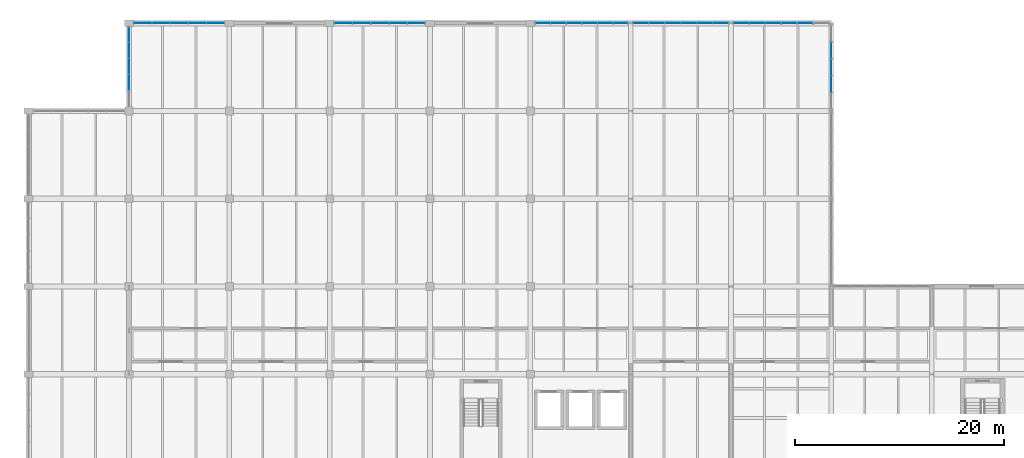
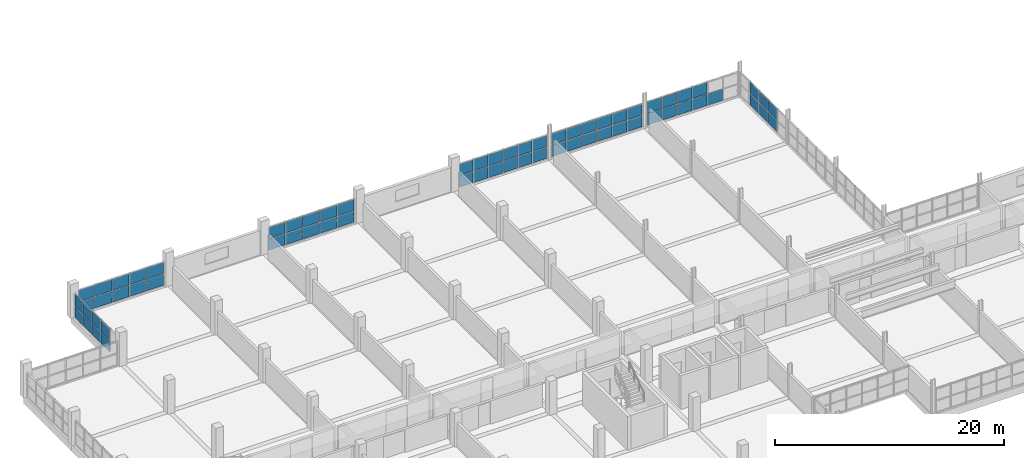
# One storey, part 108 of 147: 67 plates, 7 elements without a shape of their own.
"""IFC4 building model written with IfcOpenShell, lengths in metres."""

from ifc_helpers import new_model, si_unit, direction, frame, origin, origin_2d, place, context, subcontext, project, spatial, rectangle, extrude, material, layer, layer_set, type_object, element, aggregate, save


model = new_model("IFC4")

# Units and contexts
model_context = context("Model", 3, precision=1e-05, world=origin(), true_north=direction((0.0, 1.0)))
body_context = subcontext(model_context, "Body", "Model", "MODEL_VIEW")
ifc_project = project(units=[si_unit("LENGTHUNIT", "METRE"), si_unit("AREAUNIT", "SQUARE_METRE"), si_unit("VOLUMEUNIT", "CUBIC_METRE"), si_unit("PLANEANGLEUNIT", "RADIAN"), si_unit("MASSUNIT", "GRAM", prefix="KILO")], contexts=[model_context])

# Site, building, storey
site_placement = place(None, origin())
site = spatial("IfcSite", under=ifc_project, at=site_placement, CompositionType="ELEMENT")
building_placement = place(site_placement, origin())
building = spatial("IfcBuilding", under=site, at=building_placement, Name="Oolite Switchyard Hospital", CompositionType="ELEMENT")
storey_placement = place(building_placement, frame((0.0, 0.0, 9.89990234375)))
storey = spatial("IfcBuildingStorey", under=building, at=storey_placement, Name="L02", CompositionType="ELEMENT", Elevation=9.89990234375)

# Curtain wall, plates
ifc_material_1 = material(Name="Thermally broken aluminum frame with laminated impact glazing", Category="aluminium")
curtain_wall_type_1 = type_object("IfcCurtainWallType", Name="CW-UNIT-96X36", PredefinedType="USERDEFINED", material=ifc_material_1)
curtain_wall_1_placement = place(storey_placement, origin())
curtain_wall_1 = element("IfcCurtainWall", 1, at=curtain_wall_1_placement, inside=storey, type_object=curtain_wall_type_1, Name="L02 Unitised Curtain Wall 272", ObjectType="UNITISED", PredefinedType="USERDEFINED")
ifc_material_2 = material(Name="Insulated fluoropolymer-coated aluminum spandrel panel", Category="aluminium")
ifc_layer_1 = layer(ifc_material_2, 0.054931640625)
ifc_layer_set_1 = layer_set([ifc_layer_1], Name="CW-PNL-SPN55")
plate_type_1 = type_object("IfcPlateType", Name="CW-PNL-SPN55", PredefinedType="CURTAIN_PANEL", material=ifc_layer_set_1)
plate_1_placement = place(storey_placement, frame((68.17822265625, 134.39990234375, 0.06005859375), z_axis=(0.0, 0.0, 1.0), x_axis=(1.0, 0.0, 0.0)))
plate_1 = element("IfcPlate", 2, at=plate_1_placement, type_object=plate_type_1, Name="CW-03 panel 1.1", PredefinedType="CURTAIN_PANEL", context=body_context, shape_type="SweptSolid", body=[
    extrude(rectangle(XDim=1.4306640625, YDim=0.054931640625, at=origin_2d()), origin(), (0.0, 0.0, 1.0), 1.195068359375),
])
plate_2_placement = place(storey_placement, frame((68.17822265625, 134.39990234375, 1.31494140625), z_axis=(0.0, 0.0, 1.0), x_axis=(1.0, 0.0, 0.0)))
plate_2 = element("IfcPlate", 3, at=plate_2_placement, type_object=plate_type_1, Name="CW-03 panel 1.2", PredefinedType="CURTAIN_PANEL", context=body_context, shape_type="SweptSolid", body=[
    extrude(rectangle(XDim=1.4306640625, YDim=0.054931640625, at=origin_2d()), origin(), (0.0, 0.0, 1.0), 1.195068359375),
])
plate_3_placement = place(storey_placement, frame((69.696533203125, 134.39990234375, 0.06005859375), z_axis=(0.0, 0.0, 1.0), x_axis=(1.0, 0.0, 0.0)))
plate_3 = element("IfcPlate", 4, at=plate_3_placement, type_object=plate_type_1, Name="CW-03 panel 2.1", PredefinedType="CURTAIN_PANEL", context=body_context, shape_type="SweptSolid", body=[
    extrude(rectangle(XDim=1.465576171875, YDim=0.054931640625, at=origin_2d()), origin(), (0.0, 0.0, 1.0), 1.195068359375),
])
plate_4_placement = place(storey_placement, frame((69.696533203125, 134.39990234375, 1.31494140625), z_axis=(0.0, 0.0, 1.0), x_axis=(1.0, 0.0, 0.0)))
plate_4 = element("IfcPlate", 5, at=plate_4_placement, type_object=plate_type_1, Name="CW-03 panel 2.2", PredefinedType="CURTAIN_PANEL", context=body_context, shape_type="SweptSolid", body=[
    extrude(rectangle(XDim=1.465576171875, YDim=0.054931640625, at=origin_2d()), origin(), (0.0, 0.0, 1.0), 1.195068359375),
])
plate_5_placement = place(storey_placement, frame((71.232177734375, 134.39990234375, 0.06005859375), z_axis=(0.0, 0.0, 1.0), x_axis=(1.0, 0.0, 0.0)))
plate_5 = element("IfcPlate", 6, at=plate_5_placement, type_object=plate_type_1, Name="CW-03 panel 3.1", PredefinedType="CURTAIN_PANEL", context=body_context, shape_type="SweptSolid", body=[
    extrude(rectangle(XDim=1.465576171875, YDim=0.054931640625, at=origin_2d()), origin(), (0.0, 0.0, 1.0), 1.195068359375),
])
plate_6_placement = place(storey_placement, frame((71.232177734375, 134.39990234375, 1.31494140625), z_axis=(0.0, 0.0, 1.0), x_axis=(1.0, 0.0, 0.0)))
plate_6 = element("IfcPlate", 7, at=plate_6_placement, type_object=plate_type_1, Name="CW-03 panel 3.2", PredefinedType="CURTAIN_PANEL", context=body_context, shape_type="SweptSolid", body=[
    extrude(rectangle(XDim=1.465576171875, YDim=0.054931640625, at=origin_2d()), origin(), (0.0, 0.0, 1.0), 1.195068359375),
])
plate_7_placement = place(storey_placement, frame((72.767822265625, 134.39990234375, 0.06005859375), z_axis=(0.0, 0.0, 1.0), x_axis=(1.0, 0.0, 0.0)))
plate_7 = element("IfcPlate", 8, at=plate_7_placement, type_object=plate_type_1, Name="CW-03 panel 4.1", PredefinedType="CURTAIN_PANEL", context=body_context, shape_type="SweptSolid", body=[
    extrude(rectangle(XDim=1.465576171875, YDim=0.054931640625, at=origin_2d()), origin(), (0.0, 0.0, 1.0), 1.195068359375),
])
plate_8_placement = place(storey_placement, frame((72.767822265625, 134.39990234375, 1.31494140625), z_axis=(0.0, 0.0, 1.0), x_axis=(1.0, 0.0, 0.0)))
plate_8 = element("IfcPlate", 9, at=plate_8_placement, type_object=plate_type_1, Name="CW-03 panel 4.2", PredefinedType="CURTAIN_PANEL", context=body_context, shape_type="SweptSolid", body=[
    extrude(rectangle(XDim=1.465576171875, YDim=0.054931640625, at=origin_2d()), origin(), (0.0, 0.0, 1.0), 1.195068359375),
])
plate_9_placement = place(storey_placement, frame((74.303466796875, 134.39990234375, 0.06005859375), z_axis=(0.0, 0.0, 1.0), x_axis=(1.0, 0.0, 0.0)))
plate_9 = element("IfcPlate", 10, at=plate_9_placement, type_object=plate_type_1, Name="CW-03 panel 5.1", PredefinedType="CURTAIN_PANEL", context=body_context, shape_type="SweptSolid", body=[
    extrude(rectangle(XDim=1.465576171875, YDim=0.054931640625, at=origin_2d()), origin(), (0.0, 0.0, 1.0), 1.195068359375),
])
aggregate(curtain_wall_1, [plate_1, plate_2, plate_3, plate_4, plate_5, plate_6, plate_7, plate_8, plate_9])

curtain_wall_type_2 = type_object("IfcCurtainWallType", Name="CW-UNIT-84X36", PredefinedType="USERDEFINED", material=ifc_material_1)
curtain_wall_2_placement = place(storey_placement, origin())
curtain_wall_2 = element("IfcCurtainWall", 11, at=curtain_wall_2_placement, inside=storey, type_object=curtain_wall_type_2, Name="L02 Unitised Curtain Wall 280", ObjectType="UNITISED", PredefinedType="USERDEFINED")
ifc_layer_2 = layer(ifc_material_2, 0.070068359375)
ifc_layer_set_2 = layer_set([ifc_layer_2], Name="CW-PNL-SPN70")
plate_type_2 = type_object("IfcPlateType", Name="CW-PNL-SPN70", PredefinedType="CURTAIN_PANEL", material=ifc_layer_set_2)
plate_10_placement = place(storey_placement, frame((9.60009765625, 128.698486328125, 0.06005859375), z_axis=(0.0, 0.0, 1.0), x_axis=(0.0, 1.0, 0.0)))
plate_10 = element("IfcPlate", 12, at=plate_10_placement, type_object=plate_type_2, Name="CW-08 panel 2.1", PredefinedType="CURTAIN_PANEL", context=body_context, shape_type="SweptSolid", body=[
    extrude(rectangle(XDim=1.47900390625, YDim=0.070068359375, at=origin_2d()), origin(), (0.0, 0.0, 1.0), 1.195068359375),
])
plate_11_placement = place(storey_placement, frame((9.60009765625, 128.698486328125, 1.31494140625), z_axis=(0.0, 0.0, 1.0), x_axis=(0.0, 1.0, 0.0)))
plate_11 = element("IfcPlate", 13, at=plate_11_placement, type_object=plate_type_2, Name="CW-08 panel 2.2", PredefinedType="CURTAIN_PANEL", context=body_context, shape_type="SweptSolid", body=[
    extrude(rectangle(XDim=1.47900390625, YDim=0.070068359375, at=origin_2d()), origin(), (0.0, 0.0, 1.0), 1.195068359375),
])
plate_12_placement = place(storey_placement, frame((9.60009765625, 130.237548828125, 0.06005859375), z_axis=(0.0, 0.0, 1.0), x_axis=(0.0, 1.0, 0.0)))
plate_12 = element("IfcPlate", 14, at=plate_12_placement, type_object=plate_type_2, Name="CW-08 panel 3.1", PredefinedType="CURTAIN_PANEL", context=body_context, shape_type="SweptSolid", body=[
    extrude(rectangle(XDim=1.47900390625, YDim=0.070068359375, at=origin_2d()), origin(), (0.0, 0.0, 1.0), 1.195068359375),
])
plate_13_placement = place(storey_placement, frame((9.60009765625, 130.237548828125, 1.31494140625), z_axis=(0.0, 0.0, 1.0), x_axis=(0.0, 1.0, 0.0)))
plate_13 = element("IfcPlate", 15, at=plate_13_placement, type_object=plate_type_2, Name="CW-08 panel 3.2", PredefinedType="CURTAIN_PANEL", context=body_context, shape_type="SweptSolid", body=[
    extrude(rectangle(XDim=1.47900390625, YDim=0.070068359375, at=origin_2d()), origin(), (0.0, 0.0, 1.0), 1.195068359375),
])
plate_14_placement = place(storey_placement, frame((9.60009765625, 131.776611328125, 0.06005859375), z_axis=(0.0, 0.0, 1.0), x_axis=(0.0, 1.0, 0.0)))
plate_14 = element("IfcPlate", 16, at=plate_14_placement, type_object=plate_type_2, Name="CW-08 panel 4.1", PredefinedType="CURTAIN_PANEL", context=body_context, shape_type="SweptSolid", body=[
    extrude(rectangle(XDim=1.47900390625, YDim=0.070068359375, at=origin_2d()), origin(), (0.0, 0.0, 1.0), 1.195068359375),
])
plate_15_placement = place(storey_placement, frame((9.60009765625, 131.776611328125, 1.31494140625), z_axis=(0.0, 0.0, 1.0), x_axis=(0.0, 1.0, 0.0)))
plate_15 = element("IfcPlate", 17, at=plate_15_placement, type_object=plate_type_2, Name="CW-08 panel 4.2", PredefinedType="CURTAIN_PANEL", context=body_context, shape_type="SweptSolid", body=[
    extrude(rectangle(XDim=1.47900390625, YDim=0.070068359375, at=origin_2d()), origin(), (0.0, 0.0, 1.0), 1.195068359375),
])
plate_16_placement = place(storey_placement, frame((9.60009765625, 133.300537109375, 0.06005859375), z_axis=(0.0, 0.0, 1.0), x_axis=(0.0, 1.0, 0.0)))
plate_16 = element("IfcPlate", 18, at=plate_16_placement, type_object=plate_type_2, Name="CW-08 panel 5.1", PredefinedType="CURTAIN_PANEL", context=body_context, shape_type="SweptSolid", body=[
    extrude(rectangle(XDim=1.448974609375, YDim=0.070068359375, at=origin_2d()), origin(), (0.0, 0.0, 1.0), 1.195068359375),
])
plate_17_placement = place(storey_placement, frame((9.60009765625, 133.300537109375, 1.31494140625), z_axis=(0.0, 0.0, 1.0), x_axis=(0.0, 1.0, 0.0)))
plate_17 = element("IfcPlate", 19, at=plate_17_placement, type_object=plate_type_2, Name="CW-08 panel 5.2", PredefinedType="CURTAIN_PANEL", context=body_context, shape_type="SweptSolid", body=[
    extrude(rectangle(XDim=1.448974609375, YDim=0.070068359375, at=origin_2d()), origin(), (0.0, 0.0, 1.0), 1.195068359375),
])
aggregate(curtain_wall_2, [plate_10, plate_11, plate_12, plate_13, plate_14, plate_15, plate_16, plate_17])

curtain_wall_3_placement = place(storey_placement, origin())
curtain_wall_3 = element("IfcCurtainWall", 20, at=curtain_wall_3_placement, inside=storey, type_object=curtain_wall_type_1, Name="L02 Unitised Curtain Wall 268", ObjectType="UNITISED", PredefinedType="USERDEFINED")
ifc_material_3 = material(Name="Laminated hurricane-impact insulated glazing unit", Category="glass")
ifc_layer_3 = layer(ifc_material_3, 0.028076171875)
ifc_layer_set_3 = layer_set([ifc_layer_3], Name="CW-PNL-VIS28")
plate_type_3 = type_object("IfcPlateType", Name="CW-PNL-VIS28", PredefinedType="CURTAIN_PANEL", material=ifc_layer_set_3)
plate_18_placement = place(storey_placement, frame((10.927001953125, 134.39990234375, 0.06005859375), z_axis=(0.0, 0.0, 1.0), x_axis=(1.0, 0.0, 0.0)))
plate_18 = element("IfcPlate", 21, at=plate_18_placement, type_object=plate_type_3, Name="CW-03 panel 1.1", PredefinedType="CURTAIN_PANEL", context=body_context, shape_type="SweptSolid", body=[
    extrude(rectangle(XDim=1.654052734375, YDim=0.028076171875, at=origin_2d()), origin(), (0.0, 0.0, 1.0), 1.195068359375),
])
plate_19_placement = place(storey_placement, frame((10.927001953125, 134.39990234375, 1.31494140625), z_axis=(0.0, 0.0, 1.0), x_axis=(1.0, 0.0, 0.0)))
plate_19 = element("IfcPlate", 22, at=plate_19_placement, type_object=plate_type_3, Name="CW-03 panel 1.2", PredefinedType="CURTAIN_PANEL", context=body_context, shape_type="SweptSolid", body=[
    extrude(rectangle(XDim=1.654052734375, YDim=0.028076171875, at=origin_2d()), origin(), (0.0, 0.0, 1.0), 1.195068359375),
])
plate_20_placement = place(storey_placement, frame((12.656005859375, 134.39990234375, 0.06005859375), z_axis=(0.0, 0.0, 1.0), x_axis=(1.0, 0.0, 0.0)))
plate_20 = element("IfcPlate", 23, at=plate_20_placement, type_object=plate_type_3, Name="CW-03 panel 2.1", PredefinedType="CURTAIN_PANEL", context=body_context, shape_type="SweptSolid", body=[
    extrude(rectangle(XDim=1.68408203125, YDim=0.028076171875, at=origin_2d()), origin(), (0.0, 0.0, 1.0), 1.195068359375),
])
plate_21_placement = place(storey_placement, frame((12.656005859375, 134.39990234375, 1.31494140625), z_axis=(0.0, 0.0, 1.0), x_axis=(1.0, 0.0, 0.0)))
plate_21 = element("IfcPlate", 24, at=plate_21_placement, type_object=plate_type_3, Name="CW-03 panel 2.2", PredefinedType="CURTAIN_PANEL", context=body_context, shape_type="SweptSolid", body=[
    extrude(rectangle(XDim=1.68408203125, YDim=0.028076171875, at=origin_2d()), origin(), (0.0, 0.0, 1.0), 1.195068359375),
])
plate_22_placement = place(storey_placement, frame((14.39990234375, 134.39990234375, 0.06005859375), z_axis=(0.0, 0.0, 1.0), x_axis=(1.0, 0.0, 0.0)))
plate_22 = element("IfcPlate", 25, at=plate_22_placement, type_object=plate_type_3, Name="CW-03 panel 3.1", PredefinedType="CURTAIN_PANEL", context=body_context, shape_type="SweptSolid", body=[
    extrude(rectangle(XDim=1.68408203125, YDim=0.028076171875, at=origin_2d()), origin(), (0.0, 0.0, 1.0), 1.195068359375),
])
plate_23_placement = place(storey_placement, frame((14.39990234375, 134.39990234375, 1.31494140625), z_axis=(0.0, 0.0, 1.0), x_axis=(1.0, 0.0, 0.0)))
plate_23 = element("IfcPlate", 26, at=plate_23_placement, type_object=plate_type_3, Name="CW-03 panel 3.2", PredefinedType="CURTAIN_PANEL", context=body_context, shape_type="SweptSolid", body=[
    extrude(rectangle(XDim=1.68408203125, YDim=0.028076171875, at=origin_2d()), origin(), (0.0, 0.0, 1.0), 1.195068359375),
])
plate_24_placement = place(storey_placement, frame((16.14404296875, 134.39990234375, 0.06005859375), z_axis=(0.0, 0.0, 1.0), x_axis=(1.0, 0.0, 0.0)))
plate_24 = element("IfcPlate", 27, at=plate_24_placement, type_object=plate_type_3, Name="CW-03 panel 4.1", PredefinedType="CURTAIN_PANEL", context=body_context, shape_type="SweptSolid", body=[
    extrude(rectangle(XDim=1.68408203125, YDim=0.028076171875, at=origin_2d()), origin(), (0.0, 0.0, 1.0), 1.195068359375),
])
plate_25_placement = place(storey_placement, frame((16.14404296875, 134.39990234375, 1.31494140625), z_axis=(0.0, 0.0, 1.0), x_axis=(1.0, 0.0, 0.0)))
plate_25 = element("IfcPlate", 28, at=plate_25_placement, type_object=plate_type_3, Name="CW-03 panel 4.2", PredefinedType="CURTAIN_PANEL", context=body_context, shape_type="SweptSolid", body=[
    extrude(rectangle(XDim=1.68408203125, YDim=0.028076171875, at=origin_2d()), origin(), (0.0, 0.0, 1.0), 1.195068359375),
])
plate_26_placement = place(storey_placement, frame((17.873046875, 134.39990234375, 0.06005859375), z_axis=(0.0, 0.0, 1.0), x_axis=(1.0, 0.0, 0.0)))
plate_26 = element("IfcPlate", 29, at=plate_26_placement, type_object=plate_type_3, Name="CW-03 panel 5.1", PredefinedType="CURTAIN_PANEL", context=body_context, shape_type="SweptSolid", body=[
    extrude(rectangle(XDim=1.654052734375, YDim=0.028076171875, at=origin_2d()), origin(), (0.0, 0.0, 1.0), 1.195068359375),
])
plate_27_placement = place(storey_placement, frame((17.873046875, 134.39990234375, 1.31494140625), z_axis=(0.0, 0.0, 1.0), x_axis=(1.0, 0.0, 0.0)))
plate_27 = element("IfcPlate", 30, at=plate_27_placement, type_object=plate_type_3, Name="CW-03 panel 5.2", PredefinedType="CURTAIN_PANEL", context=body_context, shape_type="SweptSolid", body=[
    extrude(rectangle(XDim=1.654052734375, YDim=0.028076171875, at=origin_2d()), origin(), (0.0, 0.0, 1.0), 1.195068359375),
])
aggregate(curtain_wall_3, [plate_18, plate_19, plate_20, plate_21, plate_22, plate_23, plate_24, plate_25, plate_26, plate_27])

curtain_wall_4_placement = place(storey_placement, origin())
curtain_wall_4 = element("IfcCurtainWall", 31, at=curtain_wall_4_placement, inside=storey, type_object=curtain_wall_type_1, Name="L02 Unitised Curtain Wall 270", ObjectType="UNITISED", PredefinedType="USERDEFINED")
plate_28_placement = place(storey_placement, frame((49.2060546875, 134.39990234375, 0.06005859375), z_axis=(0.0, 0.0, 1.0), x_axis=(1.0, 0.0, 0.0)))
plate_28 = element("IfcPlate", 32, at=plate_28_placement, type_object=plate_type_3, Name="CW-03 panel 1.1", PredefinedType="CURTAIN_PANEL", context=body_context, shape_type="SweptSolid", body=[
    extrude(rectangle(XDim=1.382080078125, YDim=0.028076171875, at=origin_2d()), origin(), (0.0, 0.0, 1.0), 1.195068359375),
])
plate_29_placement = place(storey_placement, frame((49.2060546875, 134.39990234375, 1.31494140625), z_axis=(0.0, 0.0, 1.0), x_axis=(1.0, 0.0, 0.0)))
plate_29 = element("IfcPlate", 33, at=plate_29_placement, type_object=plate_type_3, Name="CW-03 panel 1.2", PredefinedType="CURTAIN_PANEL", context=body_context, shape_type="SweptSolid", body=[
    extrude(rectangle(XDim=1.382080078125, YDim=0.028076171875, at=origin_2d()), origin(), (0.0, 0.0, 1.0), 1.195068359375),
])
plate_30_placement = place(storey_placement, frame((50.681640625, 134.39990234375, 0.06005859375), z_axis=(0.0, 0.0, 1.0), x_axis=(1.0, 0.0, 0.0)))
plate_30 = element("IfcPlate", 34, at=plate_30_placement, type_object=plate_type_3, Name="CW-03 panel 2.1", PredefinedType="CURTAIN_PANEL", context=body_context, shape_type="SweptSolid", body=[
    extrude(rectangle(XDim=1.41943359375, YDim=0.028076171875, at=origin_2d()), origin(), (0.0, 0.0, 1.0), 1.195068359375),
])
plate_31_placement = place(storey_placement, frame((50.681640625, 134.39990234375, 1.31494140625), z_axis=(0.0, 0.0, 1.0), x_axis=(1.0, 0.0, 0.0)))
plate_31 = element("IfcPlate", 35, at=plate_31_placement, type_object=plate_type_3, Name="CW-03 panel 2.2", PredefinedType="CURTAIN_PANEL", context=body_context, shape_type="SweptSolid", body=[
    extrude(rectangle(XDim=1.41943359375, YDim=0.028076171875, at=origin_2d()), origin(), (0.0, 0.0, 1.0), 1.195068359375),
])
plate_32_placement = place(storey_placement, frame((52.17626953125, 134.39990234375, 0.06005859375), z_axis=(0.0, 0.0, 1.0), x_axis=(1.0, 0.0, 0.0)))
plate_32 = element("IfcPlate", 36, at=plate_32_placement, type_object=plate_type_3, Name="CW-03 panel 3.1", PredefinedType="CURTAIN_PANEL", context=body_context, shape_type="SweptSolid", body=[
    extrude(rectangle(XDim=1.41943359375, YDim=0.028076171875, at=origin_2d()), origin(), (0.0, 0.0, 1.0), 1.195068359375),
])
plate_33_placement = place(storey_placement, frame((52.17626953125, 134.39990234375, 1.31494140625), z_axis=(0.0, 0.0, 1.0), x_axis=(1.0, 0.0, 0.0)))
plate_33 = element("IfcPlate", 37, at=plate_33_placement, type_object=plate_type_3, Name="CW-03 panel 3.2", PredefinedType="CURTAIN_PANEL", context=body_context, shape_type="SweptSolid", body=[
    extrude(rectangle(XDim=1.41943359375, YDim=0.028076171875, at=origin_2d()), origin(), (0.0, 0.0, 1.0), 1.195068359375),
])
plate_34_placement = place(storey_placement, frame((53.670654296875, 134.39990234375, 0.06005859375), z_axis=(0.0, 0.0, 1.0), x_axis=(1.0, 0.0, 0.0)))
plate_34 = element("IfcPlate", 38, at=plate_34_placement, type_object=plate_type_3, Name="CW-03 panel 4.1", PredefinedType="CURTAIN_PANEL", context=body_context, shape_type="SweptSolid", body=[
    extrude(rectangle(XDim=1.41943359375, YDim=0.028076171875, at=origin_2d()), origin(), (0.0, 0.0, 1.0), 1.195068359375),
])
plate_35_placement = place(storey_placement, frame((53.670654296875, 134.39990234375, 1.31494140625), z_axis=(0.0, 0.0, 1.0), x_axis=(1.0, 0.0, 0.0)))
plate_35 = element("IfcPlate", 39, at=plate_35_placement, type_object=plate_type_3, Name="CW-03 panel 4.2", PredefinedType="CURTAIN_PANEL", context=body_context, shape_type="SweptSolid", body=[
    extrude(rectangle(XDim=1.41943359375, YDim=0.028076171875, at=origin_2d()), origin(), (0.0, 0.0, 1.0), 1.195068359375),
])
plate_36_placement = place(storey_placement, frame((55.165283203125, 134.39990234375, 0.06005859375), z_axis=(0.0, 0.0, 1.0), x_axis=(1.0, 0.0, 0.0)))
plate_36 = element("IfcPlate", 40, at=plate_36_placement, type_object=plate_type_3, Name="CW-03 panel 5.1", PredefinedType="CURTAIN_PANEL", context=body_context, shape_type="SweptSolid", body=[
    extrude(rectangle(XDim=1.41943359375, YDim=0.028076171875, at=origin_2d()), origin(), (0.0, 0.0, 1.0), 1.195068359375),
])
plate_37_placement = place(storey_placement, frame((55.165283203125, 134.39990234375, 1.31494140625), z_axis=(0.0, 0.0, 1.0), x_axis=(1.0, 0.0, 0.0)))
plate_37 = element("IfcPlate", 41, at=plate_37_placement, type_object=plate_type_3, Name="CW-03 panel 5.2", PredefinedType="CURTAIN_PANEL", context=body_context, shape_type="SweptSolid", body=[
    extrude(rectangle(XDim=1.41943359375, YDim=0.028076171875, at=origin_2d()), origin(), (0.0, 0.0, 1.0), 1.195068359375),
])
plate_38_placement = place(storey_placement, frame((56.64111328125, 134.39990234375, 0.06005859375), z_axis=(0.0, 0.0, 1.0), x_axis=(1.0, 0.0, 0.0)))
plate_38 = element("IfcPlate", 42, at=plate_38_placement, type_object=plate_type_3, Name="CW-03 panel 6.1", PredefinedType="CURTAIN_PANEL", context=body_context, shape_type="SweptSolid", body=[
    extrude(rectangle(XDim=1.382080078125, YDim=0.028076171875, at=origin_2d()), origin(), (0.0, 0.0, 1.0), 1.195068359375),
])
plate_39_placement = place(storey_placement, frame((56.64111328125, 134.39990234375, 1.31494140625), z_axis=(0.0, 0.0, 1.0), x_axis=(1.0, 0.0, 0.0)))
plate_39 = element("IfcPlate", 43, at=plate_39_placement, type_object=plate_type_3, Name="CW-03 panel 6.2", PredefinedType="CURTAIN_PANEL", context=body_context, shape_type="SweptSolid", body=[
    extrude(rectangle(XDim=1.382080078125, YDim=0.028076171875, at=origin_2d()), origin(), (0.0, 0.0, 1.0), 1.195068359375),
])
aggregate(curtain_wall_4, [plate_28, plate_29, plate_30, plate_31, plate_32, plate_33, plate_34, plate_35, plate_36, plate_37, plate_38, plate_39])

curtain_wall_5_placement = place(storey_placement, origin())
curtain_wall_5 = element("IfcCurtainWall", 44, at=curtain_wall_5_placement, inside=storey, type_object=curtain_wall_type_2, Name="L02 Unitised Curtain Wall 288", ObjectType="UNITISED", PredefinedType="USERDEFINED")
ifc_layer_4 = layer(ifc_material_3, 0.031982421875)
ifc_layer_set_4 = layer_set([ifc_layer_4], Name="CW-PNL-VIS32")
plate_type_4 = type_object("IfcPlateType", Name="CW-PNL-VIS32", PredefinedType="CURTAIN_PANEL", material=ifc_layer_set_4)
plate_40_placement = place(storey_placement, frame((76.800048828125, 131.810546875, 0.06005859375), z_axis=(0.0, 0.0, 1.0), x_axis=(0.0, -1.0, 0.0)))
plate_40 = element("IfcPlate", 45, at=plate_40_placement, type_object=plate_type_4, Name="CW-08 panel 2.1", PredefinedType="CURTAIN_PANEL", context=body_context, shape_type="SweptSolid", body=[
    extrude(rectangle(XDim=1.544677734375, YDim=0.031982421875, at=origin_2d()), origin(), (0.0, 0.0, 1.0), 1.195068359375),
])
plate_41_placement = place(storey_placement, frame((76.800048828125, 131.810546875, 1.31494140625), z_axis=(0.0, 0.0, 1.0), x_axis=(0.0, -1.0, 0.0)))
plate_41 = element("IfcPlate", 46, at=plate_41_placement, type_object=plate_type_4, Name="CW-08 panel 2.2", PredefinedType="CURTAIN_PANEL", context=body_context, shape_type="SweptSolid", body=[
    extrude(rectangle(XDim=1.544677734375, YDim=0.031982421875, at=origin_2d()), origin(), (0.0, 0.0, 1.0), 1.195068359375),
])
plate_42_placement = place(storey_placement, frame((76.800048828125, 130.19091796875, 0.06005859375), z_axis=(0.0, 0.0, 1.0), x_axis=(0.0, -1.0, 0.0)))
plate_42 = element("IfcPlate", 47, at=plate_42_placement, type_object=plate_type_4, Name="CW-08 panel 3.1", PredefinedType="CURTAIN_PANEL", context=body_context, shape_type="SweptSolid", body=[
    extrude(rectangle(XDim=1.544677734375, YDim=0.031982421875, at=origin_2d()), origin(), (0.0, 0.0, 1.0), 1.195068359375),
])
plate_43_placement = place(storey_placement, frame((76.800048828125, 130.19091796875, 1.31494140625), z_axis=(0.0, 0.0, 1.0), x_axis=(0.0, -1.0, 0.0)))
plate_43 = element("IfcPlate", 48, at=plate_43_placement, type_object=plate_type_4, Name="CW-08 panel 3.2", PredefinedType="CURTAIN_PANEL", context=body_context, shape_type="SweptSolid", body=[
    extrude(rectangle(XDim=1.544677734375, YDim=0.031982421875, at=origin_2d()), origin(), (0.0, 0.0, 1.0), 1.195068359375),
])
plate_44_placement = place(storey_placement, frame((76.800048828125, 128.5712890625, 0.06005859375), z_axis=(0.0, 0.0, 1.0), x_axis=(0.0, -1.0, 0.0)))
plate_44 = element("IfcPlate", 49, at=plate_44_placement, type_object=plate_type_4, Name="CW-08 panel 4.1", PredefinedType="CURTAIN_PANEL", context=body_context, shape_type="SweptSolid", body=[
    extrude(rectangle(XDim=1.544677734375, YDim=0.031982421875, at=origin_2d()), origin(), (0.0, 0.0, 1.0), 1.195068359375),
])
plate_45_placement = place(storey_placement, frame((76.800048828125, 128.5712890625, 1.31494140625), z_axis=(0.0, 0.0, 1.0), x_axis=(0.0, -1.0, 0.0)))
plate_45 = element("IfcPlate", 50, at=plate_45_placement, type_object=plate_type_4, Name="CW-08 panel 4.2", PredefinedType="CURTAIN_PANEL", context=body_context, shape_type="SweptSolid", body=[
    extrude(rectangle(XDim=1.544677734375, YDim=0.031982421875, at=origin_2d()), origin(), (0.0, 0.0, 1.0), 1.195068359375),
])
aggregate(curtain_wall_5, [plate_40, plate_41, plate_42, plate_43, plate_44, plate_45])

curtain_wall_6_placement = place(storey_placement, origin())
curtain_wall_6 = element("IfcCurtainWall", 51, at=curtain_wall_6_placement, inside=storey, type_object=curtain_wall_type_1, Name="L02 Unitised Curtain Wall 271", ObjectType="UNITISED", PredefinedType="USERDEFINED")
ifc_layer_5 = layer(ifc_material_3, 0.035888671875)
ifc_layer_set_5 = layer_set([ifc_layer_5], Name="CW-PNL-VIS36")
plate_type_5 = type_object("IfcPlateType", Name="CW-PNL-VIS36", PredefinedType="CURTAIN_PANEL", material=ifc_layer_set_5)
plate_46_placement = place(storey_placement, frame((58.575927734375, 134.39990234375, 0.0751953125), z_axis=(0.0, 0.0, 1.0), x_axis=(1.0, 0.0, 0.0)))
plate_46 = element("IfcPlate", 52, at=plate_46_placement, type_object=plate_type_5, Name="CW-03 panel 1.1", PredefinedType="CURTAIN_PANEL", context=body_context, shape_type="SweptSolid", body=[
    extrude(rectangle(XDim=1.445556640625, YDim=0.035888671875, at=origin_2d()), origin(), (0.0, 0.0, 1.0), 1.172607421875),
])
plate_47_placement = place(storey_placement, frame((58.575927734375, 134.39990234375, 1.32275390625), z_axis=(0.0, 0.0, 1.0), x_axis=(1.0, 0.0, 0.0)))
plate_47 = element("IfcPlate", 53, at=plate_47_placement, type_object=plate_type_5, Name="CW-03 panel 1.2", PredefinedType="CURTAIN_PANEL", context=body_context, shape_type="SweptSolid", body=[
    extrude(rectangle(XDim=1.445556640625, YDim=0.035888671875, at=origin_2d()), origin(), (0.0, 0.0, 1.0), 1.172607421875),
])
plate_48_placement = place(storey_placement, frame((60.096435546875, 134.39990234375, 0.0751953125), z_axis=(0.0, 0.0, 1.0), x_axis=(1.0, 0.0, 0.0)))
plate_48 = element("IfcPlate", 54, at=plate_48_placement, type_object=plate_type_5, Name="CW-03 panel 2.1", PredefinedType="CURTAIN_PANEL", context=body_context, shape_type="SweptSolid", body=[
    extrude(rectangle(XDim=1.4755859375, YDim=0.035888671875, at=origin_2d()), origin(), (0.0, 0.0, 1.0), 1.172607421875),
])
plate_49_placement = place(storey_placement, frame((60.096435546875, 134.39990234375, 1.32275390625), z_axis=(0.0, 0.0, 1.0), x_axis=(1.0, 0.0, 0.0)))
plate_49 = element("IfcPlate", 55, at=plate_49_placement, type_object=plate_type_5, Name="CW-03 panel 2.2", PredefinedType="CURTAIN_PANEL", context=body_context, shape_type="SweptSolid", body=[
    extrude(rectangle(XDim=1.4755859375, YDim=0.035888671875, at=origin_2d()), origin(), (0.0, 0.0, 1.0), 1.172607421875),
])
plate_50_placement = place(storey_placement, frame((61.632080078125, 134.39990234375, 0.0751953125), z_axis=(0.0, 0.0, 1.0), x_axis=(1.0, 0.0, 0.0)))
plate_50 = element("IfcPlate", 56, at=plate_50_placement, type_object=plate_type_5, Name="CW-03 panel 3.1", PredefinedType="CURTAIN_PANEL", context=body_context, shape_type="SweptSolid", body=[
    extrude(rectangle(XDim=1.4755859375, YDim=0.035888671875, at=origin_2d()), origin(), (0.0, 0.0, 1.0), 1.172607421875),
])
plate_51_placement = place(storey_placement, frame((61.632080078125, 134.39990234375, 1.32275390625), z_axis=(0.0, 0.0, 1.0), x_axis=(1.0, 0.0, 0.0)))
plate_51 = element("IfcPlate", 57, at=plate_51_placement, type_object=plate_type_5, Name="CW-03 panel 3.2", PredefinedType="CURTAIN_PANEL", context=body_context, shape_type="SweptSolid", body=[
    extrude(rectangle(XDim=1.4755859375, YDim=0.035888671875, at=origin_2d()), origin(), (0.0, 0.0, 1.0), 1.172607421875),
])
plate_52_placement = place(storey_placement, frame((63.167724609375, 134.39990234375, 0.0751953125), z_axis=(0.0, 0.0, 1.0), x_axis=(1.0, 0.0, 0.0)))
plate_52 = element("IfcPlate", 58, at=plate_52_placement, type_object=plate_type_5, Name="CW-03 panel 4.1", PredefinedType="CURTAIN_PANEL", context=body_context, shape_type="SweptSolid", body=[
    extrude(rectangle(XDim=1.4755859375, YDim=0.035888671875, at=origin_2d()), origin(), (0.0, 0.0, 1.0), 1.172607421875),
])
plate_53_placement = place(storey_placement, frame((63.167724609375, 134.39990234375, 1.32275390625), z_axis=(0.0, 0.0, 1.0), x_axis=(1.0, 0.0, 0.0)))
plate_53 = element("IfcPlate", 59, at=plate_53_placement, type_object=plate_type_5, Name="CW-03 panel 4.2", PredefinedType="CURTAIN_PANEL", context=body_context, shape_type="SweptSolid", body=[
    extrude(rectangle(XDim=1.4755859375, YDim=0.035888671875, at=origin_2d()), origin(), (0.0, 0.0, 1.0), 1.172607421875),
])
plate_54_placement = place(storey_placement, frame((64.70361328125, 134.39990234375, 0.0751953125), z_axis=(0.0, 0.0, 1.0), x_axis=(1.0, 0.0, 0.0)))
plate_54 = element("IfcPlate", 60, at=plate_54_placement, type_object=plate_type_5, Name="CW-03 panel 5.1", PredefinedType="CURTAIN_PANEL", context=body_context, shape_type="SweptSolid", body=[
    extrude(rectangle(XDim=1.4755859375, YDim=0.035888671875, at=origin_2d()), origin(), (0.0, 0.0, 1.0), 1.172607421875),
])
plate_55_placement = place(storey_placement, frame((64.70361328125, 134.39990234375, 1.32275390625), z_axis=(0.0, 0.0, 1.0), x_axis=(1.0, 0.0, 0.0)))
plate_55 = element("IfcPlate", 61, at=plate_55_placement, type_object=plate_type_5, Name="CW-03 panel 5.2", PredefinedType="CURTAIN_PANEL", context=body_context, shape_type="SweptSolid", body=[
    extrude(rectangle(XDim=1.4755859375, YDim=0.035888671875, at=origin_2d()), origin(), (0.0, 0.0, 1.0), 1.172607421875),
])
plate_56_placement = place(storey_placement, frame((66.22412109375, 134.39990234375, 0.0751953125), z_axis=(0.0, 0.0, 1.0), x_axis=(1.0, 0.0, 0.0)))
plate_56 = element("IfcPlate", 62, at=plate_56_placement, type_object=plate_type_5, Name="CW-03 panel 6.1", PredefinedType="CURTAIN_PANEL", context=body_context, shape_type="SweptSolid", body=[
    extrude(rectangle(XDim=1.445556640625, YDim=0.035888671875, at=origin_2d()), origin(), (0.0, 0.0, 1.0), 1.172607421875),
])
plate_57_placement = place(storey_placement, frame((66.22412109375, 134.39990234375, 1.32275390625), z_axis=(0.0, 0.0, 1.0), x_axis=(1.0, 0.0, 0.0)))
plate_57 = element("IfcPlate", 63, at=plate_57_placement, type_object=plate_type_5, Name="CW-03 panel 6.2", PredefinedType="CURTAIN_PANEL", context=body_context, shape_type="SweptSolid", body=[
    extrude(rectangle(XDim=1.445556640625, YDim=0.035888671875, at=origin_2d()), origin(), (0.0, 0.0, 1.0), 1.172607421875),
])
aggregate(curtain_wall_6, [plate_46, plate_47, plate_48, plate_49, plate_50, plate_51, plate_52, plate_53, plate_54, plate_55, plate_56, plate_57])

curtain_wall_7_placement = place(storey_placement, origin())
curtain_wall_7 = element("IfcCurtainWall", 64, at=curtain_wall_7_placement, inside=storey, type_object=curtain_wall_type_1, Name="L02 Unitised Curtain Wall 269", ObjectType="UNITISED", PredefinedType="USERDEFINED")
ifc_layer_6 = layer(ifc_material_3, 0.0419921875)
ifc_layer_set_6 = layer_set([ifc_layer_6], Name="CW-PNL-VIS42")
plate_type_6 = type_object("IfcPlateType", Name="CW-PNL-VIS42", PredefinedType="CURTAIN_PANEL", material=ifc_layer_set_6)
plate_58_placement = place(storey_placement, frame((30.12939453125, 134.39990234375, 0.0751953125), z_axis=(0.0, 0.0, 1.0), x_axis=(1.0, 0.0, 0.0)))
plate_58 = element("IfcPlate", 65, at=plate_58_placement, type_object=plate_type_6, Name="CW-03 panel 1.1", PredefinedType="CURTAIN_PANEL", context=body_context, shape_type="SweptSolid", body=[
    extrude(rectangle(XDim=1.638916015625, YDim=0.0419921875, at=origin_2d()), origin(), (0.0, 0.0, 1.0), 1.172607421875),
])
plate_59_placement = place(storey_placement, frame((30.12939453125, 134.39990234375, 1.32275390625), z_axis=(0.0, 0.0, 1.0), x_axis=(1.0, 0.0, 0.0)))
plate_59 = element("IfcPlate", 66, at=plate_59_placement, type_object=plate_type_6, Name="CW-03 panel 1.2", PredefinedType="CURTAIN_PANEL", context=body_context, shape_type="SweptSolid", body=[
    extrude(rectangle(XDim=1.638916015625, YDim=0.0419921875, at=origin_2d()), origin(), (0.0, 0.0, 1.0), 1.172607421875),
])
plate_60_placement = place(storey_placement, frame((31.85595703125, 134.39990234375, 0.0751953125), z_axis=(0.0, 0.0, 1.0), x_axis=(1.0, 0.0, 0.0)))
plate_60 = element("IfcPlate", 67, at=plate_60_placement, type_object=plate_type_6, Name="CW-03 panel 2.1", PredefinedType="CURTAIN_PANEL", context=body_context, shape_type="SweptSolid", body=[
    extrude(rectangle(XDim=1.674072265625, YDim=0.0419921875, at=origin_2d()), origin(), (0.0, 0.0, 1.0), 1.172607421875),
])
plate_61_placement = place(storey_placement, frame((31.85595703125, 134.39990234375, 1.32275390625), z_axis=(0.0, 0.0, 1.0), x_axis=(1.0, 0.0, 0.0)))
plate_61 = element("IfcPlate", 68, at=plate_61_placement, type_object=plate_type_6, Name="CW-03 panel 2.2", PredefinedType="CURTAIN_PANEL", context=body_context, shape_type="SweptSolid", body=[
    extrude(rectangle(XDim=1.674072265625, YDim=0.0419921875, at=origin_2d()), origin(), (0.0, 0.0, 1.0), 1.172607421875),
])
plate_62_placement = place(storey_placement, frame((33.60009765625, 134.39990234375, 0.0751953125), z_axis=(0.0, 0.0, 1.0), x_axis=(1.0, 0.0, 0.0)))
plate_62 = element("IfcPlate", 69, at=plate_62_placement, type_object=plate_type_6, Name="CW-03 panel 3.1", PredefinedType="CURTAIN_PANEL", context=body_context, shape_type="SweptSolid", body=[
    extrude(rectangle(XDim=1.674072265625, YDim=0.0419921875, at=origin_2d()), origin(), (0.0, 0.0, 1.0), 1.172607421875),
])
plate_63_placement = place(storey_placement, frame((33.60009765625, 134.39990234375, 1.32275390625), z_axis=(0.0, 0.0, 1.0), x_axis=(1.0, 0.0, 0.0)))
plate_63 = element("IfcPlate", 70, at=plate_63_placement, type_object=plate_type_6, Name="CW-03 panel 3.2", PredefinedType="CURTAIN_PANEL", context=body_context, shape_type="SweptSolid", body=[
    extrude(rectangle(XDim=1.674072265625, YDim=0.0419921875, at=origin_2d()), origin(), (0.0, 0.0, 1.0), 1.172607421875),
])
plate_64_placement = place(storey_placement, frame((35.343994140625, 134.39990234375, 0.0751953125), z_axis=(0.0, 0.0, 1.0), x_axis=(1.0, 0.0, 0.0)))
plate_64 = element("IfcPlate", 71, at=plate_64_placement, type_object=plate_type_6, Name="CW-03 panel 4.1", PredefinedType="CURTAIN_PANEL", context=body_context, shape_type="SweptSolid", body=[
    extrude(rectangle(XDim=1.674072265625, YDim=0.0419921875, at=origin_2d()), origin(), (0.0, 0.0, 1.0), 1.172607421875),
])
plate_65_placement = place(storey_placement, frame((35.343994140625, 134.39990234375, 1.32275390625), z_axis=(0.0, 0.0, 1.0), x_axis=(1.0, 0.0, 0.0)))
plate_65 = element("IfcPlate", 72, at=plate_65_placement, type_object=plate_type_6, Name="CW-03 panel 4.2", PredefinedType="CURTAIN_PANEL", context=body_context, shape_type="SweptSolid", body=[
    extrude(rectangle(XDim=1.674072265625, YDim=0.0419921875, at=origin_2d()), origin(), (0.0, 0.0, 1.0), 1.172607421875),
])
plate_66_placement = place(storey_placement, frame((37.070556640625, 134.39990234375, 0.0751953125), z_axis=(0.0, 0.0, 1.0), x_axis=(1.0, 0.0, 0.0)))
plate_66 = element("IfcPlate", 73, at=plate_66_placement, type_object=plate_type_6, Name="CW-03 panel 5.1", PredefinedType="CURTAIN_PANEL", context=body_context, shape_type="SweptSolid", body=[
    extrude(rectangle(XDim=1.638916015625, YDim=0.0419921875, at=origin_2d()), origin(), (0.0, 0.0, 1.0), 1.172607421875),
])
plate_67_placement = place(storey_placement, frame((37.070556640625, 134.39990234375, 1.32275390625), z_axis=(0.0, 0.0, 1.0), x_axis=(1.0, 0.0, 0.0)))
plate_67 = element("IfcPlate", 74, at=plate_67_placement, type_object=plate_type_6, Name="CW-03 panel 5.2", PredefinedType="CURTAIN_PANEL", context=body_context, shape_type="SweptSolid", body=[
    extrude(rectangle(XDim=1.638916015625, YDim=0.0419921875, at=origin_2d()), origin(), (0.0, 0.0, 1.0), 1.172607421875),
])
aggregate(curtain_wall_7, [plate_58, plate_59, plate_60, plate_61, plate_62, plate_63, plate_64, plate_65, plate_66, plate_67])

save(model, "model.ifc")
